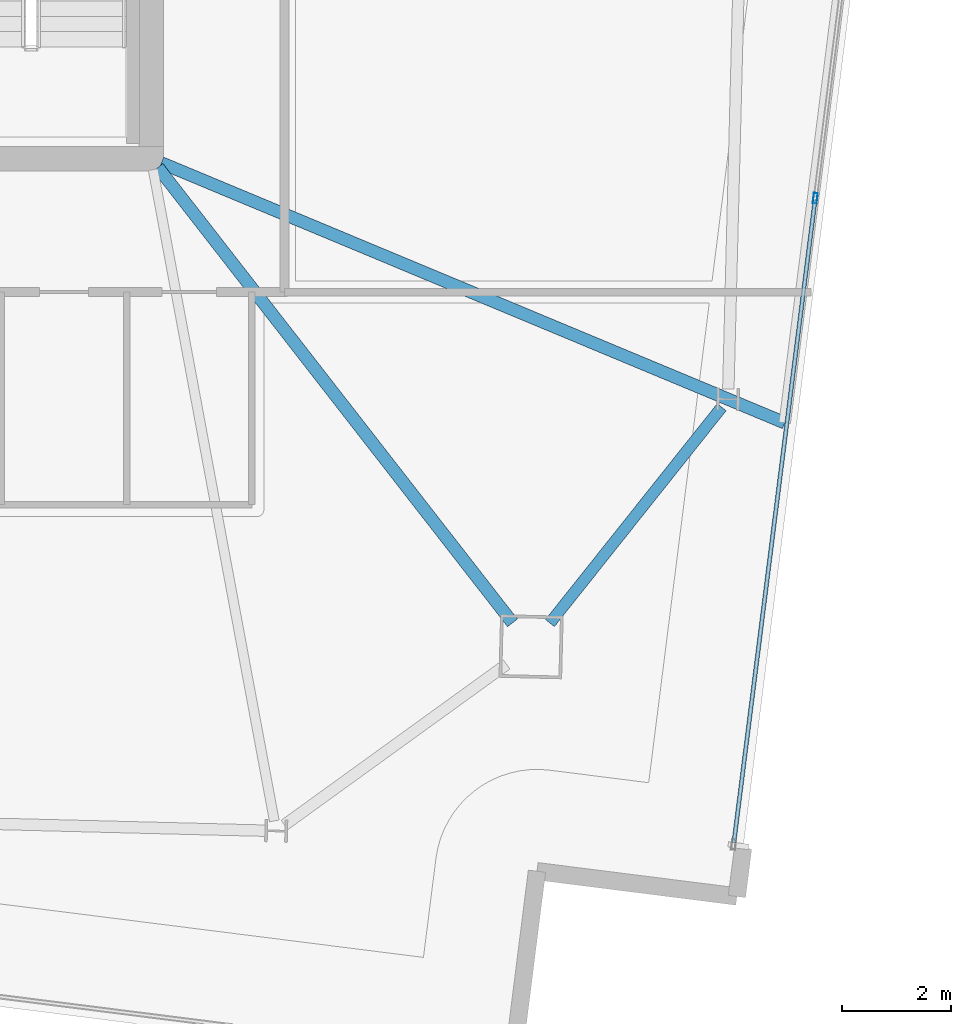
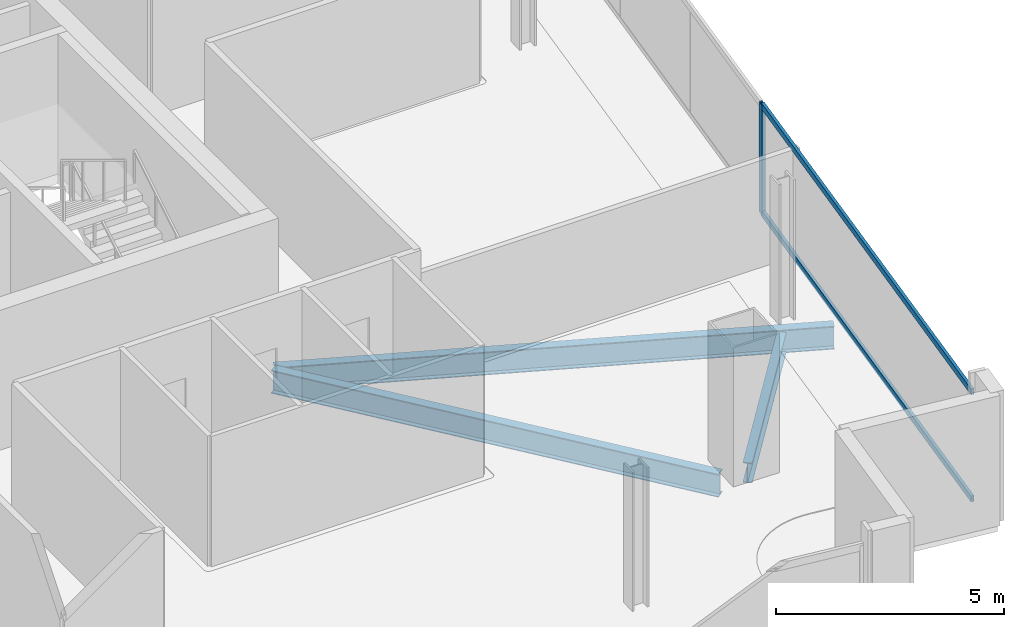
# One storey, part 8 of 23: 3 beams, 3 members, 1 element without a shape of its own.
"""IFC4 building model written with IfcOpenShell, lengths in metres."""

from ifc_helpers import new_model, si_unit, direction, frame, origin, origin_2d, place, context, subcontext, project, spatial, hollow_rectangle, i_section, extrude, material, material_profile, profile_set, type_object, element, aggregate, save


model = new_model("IFC4")

# Units and contexts
model_context = context("Model", 3, precision=1e-05, world=origin(), true_north=direction((0.0, 1.0)))
body_context = subcontext(model_context, "Body", "Model", "MODEL_VIEW")
ifc_project = project(units=[si_unit("LENGTHUNIT", "METRE"), si_unit("AREAUNIT", "SQUARE_METRE"), si_unit("VOLUMEUNIT", "CUBIC_METRE"), si_unit("PLANEANGLEUNIT", "RADIAN"), si_unit("MASSUNIT", "GRAM", prefix="KILO")], contexts=[model_context])

# Site, building, storey
site_placement = place(None, origin())
site = spatial("IfcSite", under=ifc_project, at=site_placement, CompositionType="ELEMENT")
building_placement = place(site_placement, origin())
building = spatial("IfcBuilding", under=site, at=building_placement, Name="Haldenkirk Collegiate Tower", CompositionType="ELEMENT")
storey_placement = place(building_placement, frame((0.0, 0.0, 306.449951171875)))
storey = spatial("IfcBuildingStorey", under=building, at=storey_placement, Name="L77", CompositionType="ELEMENT", Elevation=306.449951171875)

# Beams
ifc_material_1 = material(Name="Steel ASTM A992 Grade 50", Category="steel")
ifc_material_profile_1 = material_profile(ifc_material_1, i_section(OverallWidth=0.22998046875, OverallDepth=0.616943359375, WebThickness=0.01318359375, FlangeThickness=0.022216796875, at=origin_2d()), Name="W24X94")
ifc_profile_set_1 = profile_set([ifc_material_profile_1], Name="Steel ASTM A992 Grade 50")
beam_type_1 = type_object("IfcBeamType", Name="BM-GIRDER-W24X94", PredefinedType="BEAM", material=ifc_profile_set_1)
beam_1_placement = place(storey_placement, frame((51.635009765625, 9.478271484375, -0.568359375), z_axis=(-0.614347328176, 0.789035715518, 0.0), x_axis=(-0.789035715518, -0.614347328176, 0.0)))
element("IfcBeam", 1, at=beam_1_placement, inside=storey, type_object=beam_type_1, Name="L77 primary floor girder 01", PredefinedType="BEAM", context=body_context, shape_type="SweptSolid", body=[
    extrude(i_section(OverallWidth=0.22998046875, OverallDepth=0.616943359375, WebThickness=0.01318359375, FlangeThickness=0.022216796875, at=origin_2d()), origin(), (0.0, 0.0, 1.0), 10.594970703125),
])
beam_2_placement = place(storey_placement, frame((56.63232421875, 13.150634765625, -0.568359375), z_axis=(-0.92300407948, 0.384790162639, 0.0), x_axis=(-0.384790162639, -0.92300407948, 0.0)))
element("IfcBeam", 2, at=beam_2_placement, inside=storey, type_object=beam_type_1, Name="L77 primary floor girder 05", PredefinedType="BEAM", context=body_context, shape_type="SweptSolid", body=[
    extrude(i_section(OverallWidth=0.22998046875, OverallDepth=0.616943359375, WebThickness=0.01318359375, FlangeThickness=0.022216796875, at=origin_2d()), origin(), (0.0, 0.0, 1.0), 12.397705078125),
])
ifc_material_profile_2 = material_profile(ifc_material_1, i_section(OverallWidth=0.2099609375, OverallDepth=0.537109375, WebThickness=0.010986328125, FlangeThickness=0.017333984375, at=origin_2d()), Name="W21X68")
ifc_profile_set_2 = profile_set([ifc_material_profile_2], Name="Steel ASTM A992 Grade 50")
beam_type_2 = type_object("IfcBeamType", Name="BM-SPANDREL-W21X68", PredefinedType="SPANDREL", material=ifc_profile_set_2)
beam_3_placement = place(storey_placement, frame((52.321533203125, 9.474609375, -0.528564453125), z_axis=(0.622700032294, 0.782460650628, 0.0), x_axis=(-0.782460650628, 0.622700032294, 0.0)))
element("IfcBeam", 3, at=beam_3_placement, inside=storey, type_object=beam_type_2, Name="L77 perimeter spandrel beam 01", PredefinedType="SPANDREL", context=body_context, shape_type="SweptSolid", body=[
    extrude(i_section(OverallWidth=0.2099609375, OverallDepth=0.537109375, WebThickness=0.010986328125, FlangeThickness=0.017333984375, at=origin_2d()), origin(), (0.0, 0.0, 1.0), 5.064453125),
])

# Curtain wall, members
ifc_material_2 = material(Name="Anodised architectural bronze aluminium", Category="aluminium")
curtain_wall_type = type_object("IfcCurtainWallType", Name="CW-SYS2-CONCAVE", PredefinedType="USERDEFINED", material=ifc_material_2)
curtain_wall_placement = place(storey_placement, origin())
curtain_wall = element("IfcCurtainWall", 4, at=curtain_wall_placement, inside=storey, type_object=curtain_wall_type, Name="L77 South concave recessed bronze-anodised curtain wall", ObjectType="UNITISED CURTAIN WALL", PredefinedType="USERDEFINED")
ifc_material_profile_3 = material_profile(ifc_material_2, hollow_rectangle(XDim=0.074951171875, YDim=0.18994140625, WallThickness=0.0048828125, at=origin_2d()), Name="CW-MUL-02")
ifc_profile_set_3 = profile_set([ifc_material_profile_3], Name="Anodised architectural bronze aluminium")
member_type_1 = type_object("IfcMemberType", Name="CW-MUL-02", PredefinedType="MULLION", material=ifc_profile_set_3)
member_1_placement = place(storey_placement, frame((57.193603515625, 17.27490234375, 0.0), z_axis=(0.0, 0.0, 1.0), x_axis=(0.992114676148, -0.125333432781, 0.0)))
member_1 = element("IfcMember", 5, at=member_1_placement, type_object=member_type_1, Name="CW-02 mullion 3", PredefinedType="MULLION", context=body_context, shape_type="SweptSolid", body=[
    extrude(hollow_rectangle(XDim=0.074951171875, YDim=0.18994140625, WallThickness=0.0048828125, at=origin_2d()), origin(), (0.0, 0.0, 1.0), 2.947998046875),
])
ifc_material_profile_4 = material_profile(ifc_material_2, hollow_rectangle(XDim=0.074951171875, YDim=0.159912109375, WallThickness=0.0048828125, at=origin_2d()), Name="CW-TRN-02")
ifc_profile_set_4 = profile_set([ifc_material_profile_4], Name="Anodised architectural bronze aluminium")
member_type_2 = type_object("IfcMemberType", Name="CW-TRN-02", PredefinedType="USERDEFINED", material=ifc_profile_set_4)
member_2_placement = place(storey_placement, frame((57.18896484375, 17.23779296875, 0.03759765625), z_axis=(-0.125341455338, -0.992113662628, 0.0), x_axis=(0.992113662628, -0.125341455338, 0.0)))
member_2 = element("IfcMember", 6, at=member_2_placement, type_object=member_type_2, Name="CW-02 transom 3.1", ObjectType="TRANSOM", PredefinedType="USERDEFINED", context=body_context, shape_type="SweptSolid", body=[
    extrude(hollow_rectangle(XDim=0.074951171875, YDim=0.159912109375, WallThickness=0.0048828125, at=origin_2d()), origin(), (0.0, 0.0, 1.0), 11.887451171875),
])
member_3_placement = place(storey_placement, frame((57.18896484375, 17.23779296875, 2.91064453125), z_axis=(-0.125341455338, -0.992113662628, 0.0), x_axis=(0.992113662628, -0.125341455338, 0.0)))
member_3 = element("IfcMember", 7, at=member_3_placement, type_object=member_type_2, Name="CW-02 transom 3.2", ObjectType="TRANSOM", PredefinedType="USERDEFINED", context=body_context, shape_type="SweptSolid", body=[
    extrude(hollow_rectangle(XDim=0.074951171875, YDim=0.159912109375, WallThickness=0.0048828125, at=origin_2d()), origin(), (0.0, 0.0, 1.0), 11.887451171875),
])
aggregate(curtain_wall, [member_1, member_2, member_3])

save(model, "model.ifc")
